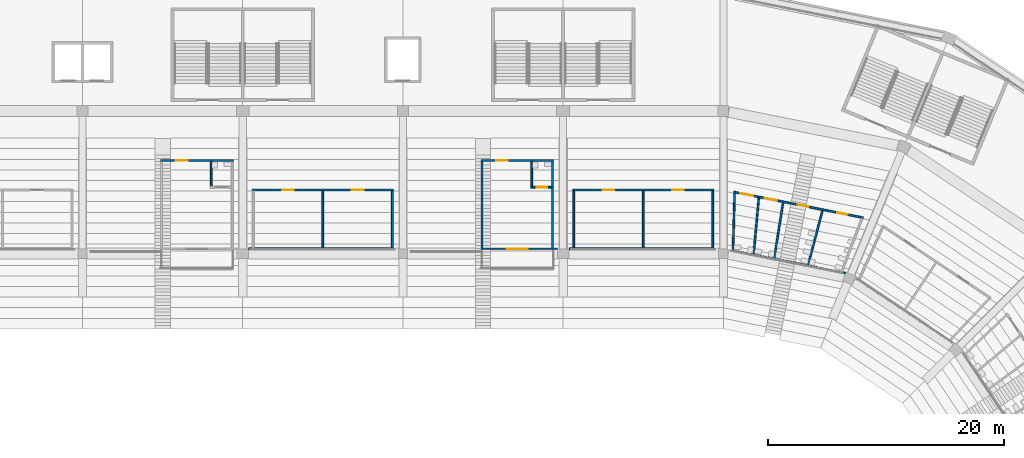
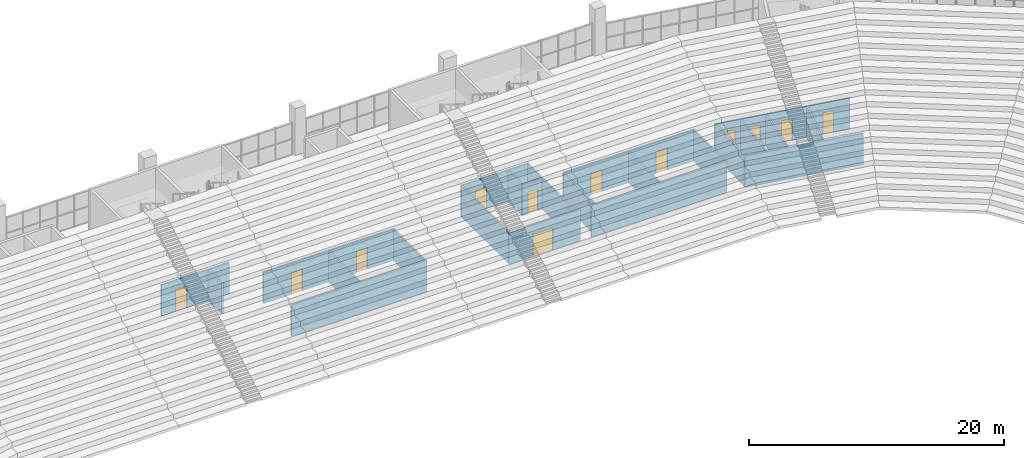
# One storey, part 96 of 249: 23 walls, 12 doors, 12 openings.
"""IFC4 building model written with IfcOpenShell, lengths in metres."""

from ifc_helpers import new_model, si_unit, direction, frame, frame_2d, origin, place, context, subcontext, project, spatial, rectangle, extrude, material, layer, layer_set, type_object, element, fill, save


model = new_model("IFC4")

# Units and contexts
model_context = context("Model", 3, precision=1e-05, world=origin(), true_north=direction((0.0, 1.0)))
body_context = subcontext(model_context, "Body", "Model", "MODEL_VIEW")
ifc_project = project(units=[si_unit("LENGTHUNIT", "METRE"), si_unit("AREAUNIT", "SQUARE_METRE"), si_unit("VOLUMEUNIT", "CUBIC_METRE"), si_unit("PLANEANGLEUNIT", "RADIAN"), si_unit("MASSUNIT", "GRAM", prefix="KILO")], contexts=[model_context])

# Site, building, storey
site_placement = place(None, origin())
site = spatial("IfcSite", under=ifc_project, at=site_placement, CompositionType="ELEMENT")
building_placement = place(site_placement, origin())
building = spatial("IfcBuilding", under=site, at=building_placement, Name="Ogive Plaza Stadium", CompositionType="ELEMENT")
storey_placement = place(building_placement, frame((0.0, 0.0, 13.5)))
storey = spatial("IfcBuildingStorey", under=building, at=storey_placement, Name="L03", CompositionType="ELEMENT", Elevation=13.5)

# Wall, opening, door
ifc_material_1 = material(Name="Masonry blockwork", Category="masonry")
ifc_layer_1 = layer(ifc_material_1, 0.14990234375)
ifc_layer_set_1 = layer_set([ifc_layer_1], Name="Blockwork wall 150")
wall_type_1 = type_object("IfcWallType", Name="Blockwork wall 150", PredefinedType="SOLIDWALL", material=ifc_layer_set_1)
wall_1_placement = place(storey_placement, frame((-7.625, 88.300048828125, 0.0), z_axis=(0.0, 0.0, 1.0), x_axis=(-1.0, 0.0, 0.0)))
wall_1 = element("IfcWall", 1, at=wall_1_placement, inside=storey, type_object=wall_type_1, Name="Wall L03 B33", PredefinedType="SOLIDWALL", context=body_context, shape_type="SweptSolid", body=[
    extrude(rectangle(XDim=6.14990234375, YDim=0.14990234375, at=frame_2d((3.074951171875, 0.0))), origin(), (0.0, 0.0, 1.0), 3.0),
])
opening_1_placement = place(wall_1_placement, frame((3.862060546875, 0.0, 0.0)))
opening_1 = element("IfcOpeningElement", 2, at=opening_1_placement, cuts=wall_1, Name="Opening D0879", PredefinedType="OPENING", context=body_context, shape_type="SweptSolid", body=[
    extrude(rectangle(XDim=1.0, YDim=2.10009765625, at=frame_2d((0.5, 1.050048828125))), frame((0.0, 0.074951171875, 0.0), z_axis=(0.0, -1.0, 0.0), x_axis=(1.0, 0.0, 0.0)), (0.0, 0.0, 1.0), 0.14990234375),
])
ifc_material_2 = material(Name="Steel ASTM A572 Grade 50", Category="steel")
door_type_1 = type_object("IfcDoorType", Name="Fire door FD30S 1000 x 2100", OperationType="SINGLE_SWING_LEFT", PredefinedType="DOOR", material=ifc_material_2)
door_1_placement = place(opening_1_placement, origin())
door_1 = element("IfcDoor", 3, at=door_1_placement, inside=storey, type_object=door_type_1, Name="Hospitality Suite B33 door", OperationType="SINGLE_SWING_LEFT", OverallHeight=2.10009765625, OverallWidth=1.0, PredefinedType="DOOR", context=body_context, shape_type="SweptSolid", body=[
    extrude(rectangle(XDim=1.0, YDim=2.10009765625, at=frame_2d((0.5, 1.050048828125))), frame((0.0, 0.02490234375, 0.0), z_axis=(0.0, -1.0, 0.0), x_axis=(1.0, 0.0, 0.0)), (0.0, 0.0, 1.0), 0.050048828125),
])
fill(opening_1, door_1)

# Wall
wall_2_placement = place(storey_placement, frame((-6.300048828125, 80.800048828125, 0.0), z_axis=(0.0, 0.0, 1.0), x_axis=(1.0, 0.0, 0.0)))
element("IfcWall", 4, at=wall_2_placement, inside=storey, type_object=wall_type_1, Name="Wall L03 B34", PredefinedType="SOLIDWALL", context=body_context, shape_type="SweptSolid", body=[
    extrude(rectangle(XDim=12.275146484375, YDim=0.14990234375, at=frame_2d((6.1376953125, 0.0))), origin(), (0.0, 0.0, 1.0), 3.0),
])

# Wall, openings, doors
wall_3_placement = place(storey_placement, frame((-5.97509765625, 85.800048828125, 0.0), z_axis=(0.0, 0.0, 1.0), x_axis=(1.0, 0.0, 0.0)))
wall_3 = element("IfcWall", 5, at=wall_3_placement, inside=storey, type_object=wall_type_1, Name="Wall L03 B34", PredefinedType="SOLIDWALL", context=body_context, shape_type="SweptSolid", body=[
    extrude(rectangle(XDim=11.9501953125, YDim=0.14990234375, at=frame_2d((5.97509765625, 0.0))), origin(), (0.0, 0.0, 1.0), 3.0),
])
opening_2_placement = place(wall_3_placement, frame((2.52490234375, 0.0, 0.0)))
opening_2 = element("IfcOpeningElement", 6, at=opening_2_placement, cuts=wall_3, Name="Opening D0882", PredefinedType="OPENING", context=body_context, shape_type="SweptSolid", body=[
    extrude(rectangle(XDim=1.0, YDim=2.10009765625, at=frame_2d((0.5, 1.050048828125))), frame((0.0, 0.074951171875, 0.0), z_axis=(0.0, -1.0, 0.0), x_axis=(1.0, 0.0, 0.0)), (0.0, 0.0, 1.0), 0.14990234375),
])
opening_3_placement = place(wall_3_placement, frame((8.425048828125, 0.0, 0.0)))
opening_3 = element("IfcOpeningElement", 7, at=opening_3_placement, cuts=wall_3, Name="Opening D0883", PredefinedType="OPENING", context=body_context, shape_type="SweptSolid", body=[
    extrude(rectangle(XDim=1.0, YDim=2.10009765625, at=frame_2d((0.5, 1.050048828125))), frame((0.0, 0.074951171875, 0.0), z_axis=(0.0, -1.0, 0.0), x_axis=(1.0, 0.0, 0.0)), (0.0, 0.0, 1.0), 0.14990234375),
])
ifc_material_3 = material(Name="Steel ASTM A572 Grade 50", Category="steel")
door_type_2 = type_object("IfcDoorType", Name="Fire door FD60 1000 x 2100", OperationType="SINGLE_SWING_LEFT", PredefinedType="DOOR", material=ifc_material_3)
door_2_placement = place(opening_2_placement, origin())
door_2 = element("IfcDoor", 8, at=door_2_placement, inside=storey, type_object=door_type_2, Name="Hospitality Pantry B34 door", OperationType="SINGLE_SWING_LEFT", OverallHeight=2.10009765625, OverallWidth=1.0, PredefinedType="DOOR", context=body_context, shape_type="SweptSolid", body=[
    extrude(rectangle(XDim=1.0, YDim=2.10009765625, at=frame_2d((0.5, 1.050048828125))), frame((0.0, 0.02490234375, 0.0), z_axis=(0.0, -1.0, 0.0), x_axis=(1.0, 0.0, 0.0)), (0.0, 0.0, 1.0), 0.050048828125),
])
fill(opening_2, door_2)
door_3_placement = place(opening_3_placement, origin())
door_3 = element("IfcDoor", 9, at=door_3_placement, inside=storey, type_object=door_type_2, Name="Hospitality Store B34 door", OperationType="SINGLE_SWING_RIGHT", OverallHeight=2.10009765625, OverallWidth=1.0, PredefinedType="DOOR", context=body_context, shape_type="SweptSolid", body=[
    extrude(rectangle(XDim=1.0, YDim=2.10009765625, at=frame_2d((0.5, 1.050048828125))), frame((0.0, 0.02490234375, 0.0), z_axis=(0.0, -1.0, 0.0), x_axis=(1.0, 0.0, 0.0)), (0.0, 0.0, 1.0), 0.050048828125),
])
fill(opening_3, door_3)

# Walls
for number, where, z_axis, x_axis, name in (
    (10, (0.0, 80.875, 0.0), (0.0, 0.0, 1.0), (0.0, 1.0, 0.0), "Wall L03 B34"),
    (11, (5.89990234375, 80.875, 0.0), (0.0, 0.0, 1.0), (0.0, 1.0, 0.0), "Wall L03 B34"),
):
    element("IfcWall", number, at=place(storey_placement, frame(where, z_axis=z_axis, x_axis=x_axis)), inside=storey, type_object=wall_type_1, Name=name, PredefinedType="SOLIDWALL", context=body_context, shape_type="SweptSolid", body=[
        extrude(rectangle(XDim=4.85009765625, YDim=0.14990234375, at=frame_2d((2.425048828125, 0.0))), origin(), (0.0, 0.0, 1.0), 3.0),
    ])

# Wall, opening, door
wall_4_placement = place(storey_placement, frame((19.574951171875, 88.300048828125, 0.0), z_axis=(0.0, 0.0, 1.0), x_axis=(-1.0, 0.0, 0.0)))
wall_4 = element("IfcWall", 12, at=wall_4_placement, inside=storey, type_object=wall_type_1, Name="Wall L03 B35", PredefinedType="SOLIDWALL", context=body_context, shape_type="SweptSolid", body=[
    extrude(rectangle(XDim=6.14990234375, YDim=0.14990234375, at=frame_2d((3.074951171875, 0.0))), origin(), (0.0, 0.0, 1.0), 3.0),
])
opening_4_placement = place(wall_4_placement, frame((3.862060546875, 0.0, 0.0)))
opening_4 = element("IfcOpeningElement", 13, at=opening_4_placement, cuts=wall_4, Name="Opening D0884", PredefinedType="OPENING", context=body_context, shape_type="SweptSolid", body=[
    extrude(rectangle(XDim=1.0, YDim=2.10009765625, at=frame_2d((0.5, 1.050048828125))), frame((0.0, 0.074951171875, 0.0), z_axis=(0.0, -1.0, 0.0), x_axis=(1.0, 0.0, 0.0)), (0.0, 0.0, 1.0), 0.14990234375),
])
door_4_placement = place(opening_4_placement, origin())
door_4 = element("IfcDoor", 14, at=door_4_placement, inside=storey, type_object=door_type_1, Name="Hospitality Suite B35 door", OperationType="SINGLE_SWING_LEFT", OverallHeight=2.10009765625, OverallWidth=1.0, PredefinedType="DOOR", context=body_context, shape_type="SweptSolid", body=[
    extrude(rectangle(XDim=1.0, YDim=2.10009765625, at=frame_2d((0.5, 1.050048828125))), frame((0.0, 0.02490234375, 0.0), z_axis=(0.0, -1.0, 0.0), x_axis=(1.0, 0.0, 0.0)), (0.0, 0.0, 1.0), 0.050048828125),
])
fill(opening_4, door_4)

# Walls
for number, where, z_axis, x_axis, name in (
    (15, (19.5, 80.85009765625, 0.0), (0.0, 0.0, 1.0), (0.0, 1.0, 0.0), "Wall L03 B35"),
    (16, (13.5, 80.85009765625, 0.0), (0.0, 0.0, 1.0), (0.0, 1.0, 0.0), "Wall L03 B35"),
):
    element("IfcWall", number, at=place(storey_placement, frame(where, z_axis=z_axis, x_axis=x_axis)), inside=storey, type_object=wall_type_1, Name=name, PredefinedType="SOLIDWALL", context=body_context, shape_type="SweptSolid", body=[
        extrude(rectangle(XDim=7.375, YDim=0.14990234375, at=frame_2d((3.6875, 0.0))), origin(), (0.0, 0.0, 1.0), 3.0),
    ])
wall_5_placement = place(storey_placement, frame((20.89990234375, 80.800048828125, 0.0), z_axis=(0.0, 0.0, 1.0), x_axis=(1.0, 0.0, 0.0)))
element("IfcWall", 17, at=wall_5_placement, inside=storey, type_object=wall_type_1, Name="Wall L03 B36", PredefinedType="SOLIDWALL", context=body_context, shape_type="SweptSolid", body=[
    extrude(rectangle(XDim=12.275146484375, YDim=0.14990234375, at=frame_2d((6.1376953125, 0.0))), origin(), (0.0, 0.0, 1.0), 3.0),
])

# Wall, openings, doors
wall_6_placement = place(storey_placement, frame((21.22509765625, 85.800048828125, 0.0), z_axis=(0.0, 0.0, 1.0), x_axis=(1.0, 0.0, 0.0)))
wall_6 = element("IfcWall", 18, at=wall_6_placement, inside=storey, type_object=wall_type_1, Name="Wall L03 B36", PredefinedType="SOLIDWALL", context=body_context, shape_type="SweptSolid", body=[
    extrude(rectangle(XDim=11.949951171875, YDim=0.14990234375, at=frame_2d((5.97509765625, 0.0))), origin(), (0.0, 0.0, 1.0), 3.0),
])
opening_5_placement = place(wall_6_placement, frame((2.52490234375, 0.0, 0.0)))
opening_5 = element("IfcOpeningElement", 19, at=opening_5_placement, cuts=wall_6, Name="Opening D0887", PredefinedType="OPENING", context=body_context, shape_type="SweptSolid", body=[
    extrude(rectangle(XDim=1.0, YDim=2.10009765625, at=frame_2d((0.5, 1.050048828125))), frame((0.0, 0.074951171875, 0.0), z_axis=(0.0, -1.0, 0.0), x_axis=(1.0, 0.0, 0.0)), (0.0, 0.0, 1.0), 0.14990234375),
])
opening_6_placement = place(wall_6_placement, frame((8.425048828125, 0.0, 0.0)))
opening_6 = element("IfcOpeningElement", 20, at=opening_6_placement, cuts=wall_6, Name="Opening D0888", PredefinedType="OPENING", context=body_context, shape_type="SweptSolid", body=[
    extrude(rectangle(XDim=1.0, YDim=2.10009765625, at=frame_2d((0.5, 1.050048828125))), frame((0.0, 0.074951171875, 0.0), z_axis=(0.0, -1.0, 0.0), x_axis=(1.0, 0.0, 0.0)), (0.0, 0.0, 1.0), 0.14990234375),
])
door_5_placement = place(opening_5_placement, origin())
door_5 = element("IfcDoor", 21, at=door_5_placement, inside=storey, type_object=door_type_2, Name="Hospitality Pantry B36 door", OperationType="SINGLE_SWING_RIGHT", OverallHeight=2.10009765625, OverallWidth=1.0, PredefinedType="DOOR", context=body_context, shape_type="SweptSolid", body=[
    extrude(rectangle(XDim=1.0, YDim=2.10009765625, at=frame_2d((0.5, 1.050048828125))), frame((0.0, 0.02490234375, 0.0), z_axis=(0.0, -1.0, 0.0), x_axis=(1.0, 0.0, 0.0)), (0.0, 0.0, 1.0), 0.050048828125),
])
fill(opening_5, door_5)
door_6_placement = place(opening_6_placement, origin())
door_6 = element("IfcDoor", 22, at=door_6_placement, inside=storey, type_object=door_type_2, Name="Hospitality Store B36 door", OperationType="SINGLE_SWING_LEFT", OverallHeight=2.10009765625, OverallWidth=1.0, PredefinedType="DOOR", context=body_context, shape_type="SweptSolid", body=[
    extrude(rectangle(XDim=1.0, YDim=2.10009765625, at=frame_2d((0.5, 1.050048828125))), frame((0.0, 0.02490234375, 0.0), z_axis=(0.0, -1.0, 0.0), x_axis=(1.0, 0.0, 0.0)), (0.0, 0.0, 1.0), 0.050048828125),
])
fill(opening_6, door_6)

# Walls
for number, where, z_axis, x_axis, name in (
    (23, (21.300048828125, 80.875, 0.0), (0.0, 0.0, 1.0), (0.0, 1.0, 0.0), "Wall L03 B36"),
    (24, (27.199951171875, 80.875, 0.0), (0.0, 0.0, 1.0), (0.0, 1.0, 0.0), "Wall L03 B36"),
    (25, (33.10009765625, 80.875, 0.0), (0.0, 0.0, 1.0), (0.0, 1.0, 0.0), "Wall L03 B36"),
):
    element("IfcWall", number, at=place(storey_placement, frame(where, z_axis=z_axis, x_axis=x_axis)), inside=storey, type_object=wall_type_1, Name=name, PredefinedType="SOLIDWALL", context=body_context, shape_type="SweptSolid", body=[
        extrude(rectangle(XDim=4.85009765625, YDim=0.14990234375, at=frame_2d((2.425048828125, 0.0))), origin(), (0.0, 0.0, 1.0), 3.0),
    ])

# Wall, opening, door
ifc_material_4 = material(Name="Laminated glass in aluminium frame", Category="aluminium")
ifc_layer_2 = layer(ifc_material_4, 0.10009765625)
ifc_layer_set_2 = layer_set([ifc_layer_2], Name="Glazed partition 100")
wall_type_2 = type_object("IfcWallType", Name="Glazed partition 100", PredefinedType="PARTITIONING", material=ifc_layer_set_2)
wall_7_placement = place(storey_placement, frame((19.89990234375, 80.800048828125, 0.0), z_axis=(0.0, 0.0, 1.0), x_axis=(-1.0, 0.0, 0.0)))
wall_7 = element("IfcWall", 26, at=wall_7_placement, inside=storey, type_object=wall_type_2, Name="Wall L03 B35", PredefinedType="PARTITIONING", context=body_context, shape_type="SweptSolid", body=[
    extrude(rectangle(XDim=6.474853515625, YDim=0.10009765625, at=frame_2d((3.2373046875, 0.0))), origin(), (0.0, 0.0, 1.0), 3.0),
])
opening_7_placement = place(wall_7_placement, frame((2.5, 0.0, 0.0)))
opening_7 = element("IfcOpeningElement", 27, at=opening_7_placement, cuts=wall_7, Name="Opening D0885", PredefinedType="OPENING", context=body_context, shape_type="SweptSolid", body=[
    extrude(rectangle(XDim=1.800048828125, YDim=2.10009765625, at=frame_2d((0.89990234375, 1.050048828125))), frame((0.0, 0.050048828125, 0.0), z_axis=(0.0, -1.0, 0.0), x_axis=(1.0, 0.0, 0.0)), (0.0, 0.0, 1.0), 0.10009765625),
])
ifc_material_5 = material(Name="Steel ASTM A572 Grade 50", Category="steel")
door_type_3 = type_object("IfcDoorType", Name="Door pair 1800 x 2100", OperationType="DOUBLE_DOOR_SINGLE_SWING", PredefinedType="DOOR", material=ifc_material_5)
door_7_placement = place(opening_7_placement, origin())
door_7 = element("IfcDoor", 28, at=door_7_placement, inside=storey, type_object=door_type_3, Name="Suite terrace door B35", OperationType="DOUBLE_DOOR_SINGLE_SWING", OverallHeight=2.10009765625, OverallWidth=1.800048828125, PredefinedType="DOOR", context=body_context, shape_type="SweptSolid", body=[
    extrude(rectangle(XDim=1.800048828125, YDim=2.10009765625, at=frame_2d((0.89990234375, 1.050048828125))), frame((0.0, 0.02490234375, 0.0), z_axis=(0.0, -1.0, 0.0), x_axis=(1.0, 0.0, 0.0)), (0.0, 0.0, 1.0), 0.050048828125),
])
fill(opening_7, door_7)

# Wall
ifc_material_6 = material(Name="Gypsum board partition", Category="gypsum")
ifc_layer_3 = layer(ifc_material_6, 0.14990234375)
ifc_layer_set_3 = layer_set([ifc_layer_3], Name="Partition 150")
wall_type_3 = type_object("IfcWallType", Name="Partition 150", PredefinedType="PARTITIONING", material=ifc_layer_set_3)
wall_8_placement = place(storey_placement, frame((-9.47509765625, 86.10009765625, 0.0), z_axis=(0.0, 0.0, 1.0), x_axis=(0.0, 1.0, 0.0)))
element("IfcWall", 29, at=wall_8_placement, inside=storey, type_object=wall_type_3, Name="Wall L03 B33", PredefinedType="PARTITIONING", context=body_context, shape_type="SweptSolid", body=[
    extrude(rectangle(XDim=2.125, YDim=0.14990234375, at=frame_2d((1.0625, 0.0))), origin(), (0.0, 0.0, 1.0), 3.0),
])

# Wall, opening, door
wall_9_placement = place(storey_placement, frame((19.425048828125, 86.02490234375, 0.0), z_axis=(0.0, 0.0, 1.0), x_axis=(-1.0, 0.0, 0.0)))
wall_9 = element("IfcWall", 30, at=wall_9_placement, inside=storey, type_object=wall_type_3, Name="Wall L03 B35", PredefinedType="PARTITIONING", context=body_context, shape_type="SweptSolid", body=[
    extrude(rectangle(XDim=1.775146484375, YDim=0.14990234375, at=frame_2d((0.8876953125, 0.0))), origin(), (0.0, 0.0, 1.0), 3.0),
])
opening_8_placement = place(wall_9_placement, frame((0.362548828125, 0.0, 0.0)))
opening_8 = element("IfcOpeningElement", 31, at=opening_8_placement, cuts=wall_9, Name="Opening D0886", PredefinedType="OPENING", context=body_context, shape_type="SweptSolid", body=[
    extrude(rectangle(XDim=0.89990234375, YDim=2.10009765625, at=frame_2d((0.449951171875, 1.050048828125))), frame((0.0, 0.074951171875, 0.0), z_axis=(0.0, -1.0, 0.0), x_axis=(1.0, 0.0, 0.0)), (0.0, 0.0, 1.0), 0.14990234375),
])
ifc_material_7 = material(Name="Steel ASTM A572 Grade 50", Category="steel")
door_type_4 = type_object("IfcDoorType", Name="Door 900 x 2100", OperationType="SINGLE_SWING_LEFT", PredefinedType="DOOR", material=ifc_material_7)
door_8_placement = place(opening_8_placement, origin())
door_8 = element("IfcDoor", 32, at=door_8_placement, inside=storey, type_object=door_type_4, Name="Suite WC B35 door", OperationType="SINGLE_SWING_LEFT", OverallHeight=2.10009765625, OverallWidth=0.89990234375, PredefinedType="DOOR", context=body_context, shape_type="SweptSolid", body=[
    extrude(rectangle(XDim=0.89990234375, YDim=2.10009765625, at=frame_2d((0.449951171875, 1.050048828125))), frame((0.0, 0.02490234375, 0.0), z_axis=(0.0, -1.0, 0.0), x_axis=(1.0, 0.0, 0.0)), (0.0, 0.0, 1.0), 0.050048828125),
])
fill(opening_8, door_8)

# Walls
wall_10_placement = place(storey_placement, frame((17.72509765625, 86.10009765625, 0.0), z_axis=(0.0, 0.0, 1.0), x_axis=(0.0, 1.0, 0.0)))
element("IfcWall", 33, at=wall_10_placement, inside=storey, type_object=wall_type_3, Name="Wall L03 B35", PredefinedType="PARTITIONING", context=body_context, shape_type="SweptSolid", body=[
    extrude(rectangle(XDim=2.125, YDim=0.14990234375, at=frame_2d((1.0625, 0.0))), origin(), (0.0, 0.0, 1.0), 3.0),
])
wall_11_placement = place(storey_placement, frame((44.3798828125, 78.7353515625, 0.0), z_axis=(0.0, 0.0, 1.0), x_axis=(-0.980786564352, 0.19508386706, 0.0)))
element("IfcWall", 34, at=wall_11_placement, inside=storey, type_object=wall_type_3, Name="Wall L03 B37", PredefinedType="PARTITIONING", context=body_context, shape_type="SweptSolid", body=[
    extrude(rectangle(XDim=9.8251953125, YDim=0.14990234375, at=frame_2d((4.91259765625, 0.0))), origin(), (0.0, 0.0, 1.0), 3.0),
])

# Wall, openings, doors
wall_12_placement = place(storey_placement, frame((45.86865234375, 83.439208984375, 0.0), z_axis=(0.0, 0.0, 1.0), x_axis=(-0.980786208969, 0.195085653744, 0.0)))
wall_12 = element("IfcWall", 35, at=wall_12_placement, inside=storey, type_object=wall_type_3, Name="Wall L03 B37", PredefinedType="PARTITIONING", context=body_context, shape_type="SweptSolid", body=[
    extrude(rectangle(XDim=11.209228515625, YDim=0.14990234375, at=frame_2d((5.6044921875, 0.0))), origin(), (0.0, 0.0, 1.0), 3.0),
])
opening_9_placement = place(wall_12_placement, frame((1.34326171875, 0.0, 0.0)))
opening_9 = element("IfcOpeningElement", 36, at=opening_9_placement, cuts=wall_12, Name="Opening D0889", PredefinedType="OPENING", context=body_context, shape_type="SweptSolid", body=[
    extrude(rectangle(XDim=0.89990234375, YDim=2.10009765625, at=frame_2d((0.449951171875, 1.050048828125))), frame((0.0, 0.074951171875, 0.0), z_axis=(0.0, -1.0, 0.0), x_axis=(1.0, 0.0, 0.0)), (0.0, 0.0, 1.0), 0.14990234375),
])
opening_10_placement = place(wall_12_placement, frame((4.767822265625, 0.0, 0.0)))
opening_10 = element("IfcOpeningElement", 37, at=opening_10_placement, cuts=wall_12, Name="Opening D0890", PredefinedType="OPENING", context=body_context, shape_type="SweptSolid", body=[
    extrude(rectangle(XDim=0.89990234375, YDim=2.10009765625, at=frame_2d((0.449951171875, 1.050048828125))), frame((0.0, 0.074951171875, 0.0), z_axis=(0.0, -1.0, 0.0), x_axis=(1.0, 0.0, 0.0)), (0.0, 0.0, 1.0), 0.14990234375),
])
opening_11_placement = place(wall_12_placement, frame((7.4296875, 0.0, 0.0)))
opening_11 = element("IfcOpeningElement", 38, at=opening_11_placement, cuts=wall_12, Name="Opening D0891", PredefinedType="OPENING", context=body_context, shape_type="SweptSolid", body=[
    extrude(rectangle(XDim=1.10009765625, YDim=2.10009765625, at=frame_2d((0.550048828125, 1.050048828125))), frame((0.0, 0.074951171875, 0.0), z_axis=(0.0, -1.0, 0.0), x_axis=(1.0, 0.0, 0.0)), (0.0, 0.0, 1.0), 0.14990234375),
])
opening_12_placement = place(wall_12_placement, frame((9.528564453125, 0.0, 0.0)))
opening_12 = element("IfcOpeningElement", 39, at=opening_12_placement, cuts=wall_12, Name="Opening D0892", PredefinedType="OPENING", context=body_context, shape_type="SweptSolid", body=[
    extrude(rectangle(XDim=1.10009765625, YDim=2.10009765625, at=frame_2d((0.550048828125, 1.050048828125))), frame((0.0, 0.074951171875, 0.0), z_axis=(0.0, -1.0, 0.0), x_axis=(1.0, 0.0, 0.0)), (0.0, 0.0, 1.0), 0.14990234375),
])
ifc_material_8 = material(Name="Steel ASTM A572 Grade 50", Category="steel")
door_type_5 = type_object("IfcDoorType", Name="Accessible door 1100 x 2100", OperationType="SINGLE_SWING_LEFT", PredefinedType="DOOR", material=ifc_material_8)
door_9_placement = place(opening_11_placement, origin())
door_9 = element("IfcDoor", 40, at=door_9_placement, inside=storey, type_object=door_type_5, Name="Accessible WC B37 door", OperationType="SINGLE_SWING_LEFT", OverallHeight=2.10009765625, OverallWidth=1.10009765625, PredefinedType="DOOR", context=body_context, shape_type="SweptSolid", body=[
    extrude(rectangle(XDim=1.10009765625, YDim=2.10009765625, at=frame_2d((0.550048828125, 1.050048828125))), frame((0.0, 0.02490234375, 0.0), z_axis=(0.0, -1.0, 0.0), x_axis=(1.0, 0.0, 0.0)), (0.0, 0.0, 1.0), 0.050048828125),
])
fill(opening_11, door_9)
door_10_placement = place(opening_12_placement, origin())
door_10 = element("IfcDoor", 41, at=door_10_placement, inside=storey, type_object=door_type_5, Name="Family WC B37 door", OperationType="SINGLE_SWING_LEFT", OverallHeight=2.10009765625, OverallWidth=1.10009765625, PredefinedType="DOOR", context=body_context, shape_type="SweptSolid", body=[
    extrude(rectangle(XDim=1.10009765625, YDim=2.10009765625, at=frame_2d((0.550048828125, 1.050048828125))), frame((0.0, 0.02490234375, 0.0), z_axis=(0.0, -1.0, 0.0), x_axis=(1.0, 0.0, 0.0)), (0.0, 0.0, 1.0), 0.050048828125),
])
fill(opening_12, door_10)
door_11_placement = place(opening_9_placement, origin())
door_11 = element("IfcDoor", 42, at=door_11_placement, inside=storey, type_object=door_type_4, Name="Men's Toilet B37 door", OperationType="SINGLE_SWING_RIGHT", OverallHeight=2.10009765625, OverallWidth=0.89990234375, PredefinedType="DOOR", context=body_context, shape_type="SweptSolid", body=[
    extrude(rectangle(XDim=0.89990234375, YDim=2.10009765625, at=frame_2d((0.449951171875, 1.050048828125))), frame((0.0, 0.02490234375, 0.0), z_axis=(0.0, -1.0, 0.0), x_axis=(1.0, 0.0, 0.0)), (0.0, 0.0, 1.0), 0.050048828125),
])
fill(opening_9, door_11)
door_12_placement = place(opening_10_placement, origin())
door_12 = element("IfcDoor", 43, at=door_12_placement, inside=storey, type_object=door_type_4, Name="Women's Toilet B37 door", OperationType="SINGLE_SWING_RIGHT", OverallHeight=2.10009765625, OverallWidth=0.89990234375, PredefinedType="DOOR", context=body_context, shape_type="SweptSolid", body=[
    extrude(rectangle(XDim=0.89990234375, YDim=2.10009765625, at=frame_2d((0.449951171875, 1.050048828125))), frame((0.0, 0.02490234375, 0.0), z_axis=(0.0, -1.0, 0.0), x_axis=(1.0, 0.0, 0.0)), (0.0, 0.0, 1.0), 0.050048828125),
])
fill(opening_10, door_12)

# Walls
wall_13_placement = place(storey_placement, frame((41.183349609375, 79.446044921875, 0.0), z_axis=(0.0, 0.0, 1.0), x_axis=(0.257618021969, 0.966246839455, 0.0)))
element("IfcWall", 44, at=wall_13_placement, inside=storey, type_object=wall_type_3, Name="Wall L03 B37", PredefinedType="PARTITIONING", context=body_context, shape_type="SweptSolid", body=[
    extrude(rectangle(XDim=4.766845703125, YDim=0.14990234375, at=frame_2d((2.38330078125, 0.0))), origin(), (0.0, 0.0, 1.0), 3.0),
])
wall_14_placement = place(storey_placement, frame((38.321533203125, 80.015380859375, 0.0), z_axis=(0.0, 0.0, 1.0), x_axis=(0.155127731688, 0.987894420908, 0.0)))
element("IfcWall", 45, at=wall_14_placement, inside=storey, type_object=wall_type_3, Name="Wall L03 B37", PredefinedType="PARTITIONING", context=body_context, shape_type="SweptSolid", body=[
    extrude(rectangle(XDim=4.7607421875, YDim=0.14990234375, at=frame_2d((2.38037109375, 0.0))), origin(), (0.0, 0.0, 1.0), 3.0),
])
wall_15_placement = place(storey_placement, frame((36.5673828125, 80.3642578125, 0.0), z_axis=(0.0, 0.0, 1.0), x_axis=(0.091727705385, 0.995784127241, 0.0)))
element("IfcWall", 46, at=wall_15_placement, inside=storey, type_object=wall_type_3, Name="Wall L03 B37", PredefinedType="PARTITIONING", context=body_context, shape_type="SweptSolid", body=[
    extrude(rectangle(XDim=4.782958984375, YDim=0.14990234375, at=frame_2d((2.3916015625, 0.0))), origin(), (0.0, 0.0, 1.0), 3.0),
])
wall_16_placement = place(storey_placement, frame((34.813232421875, 80.713134765625, 0.0), z_axis=(0.0, 0.0, 1.0), x_axis=(0.028793807365, 0.999585372371, 0.0)))
element("IfcWall", 47, at=wall_16_placement, inside=storey, type_object=wall_type_3, Name="Wall L03 B37", PredefinedType="PARTITIONING", context=body_context, shape_type="SweptSolid", body=[
    extrude(rectangle(XDim=4.824462890625, YDim=0.14990234375, at=frame_2d((2.412109375, 0.0))), origin(), (0.0, 0.0, 1.0), 3.0),
])

save(model, "model.ifc")
